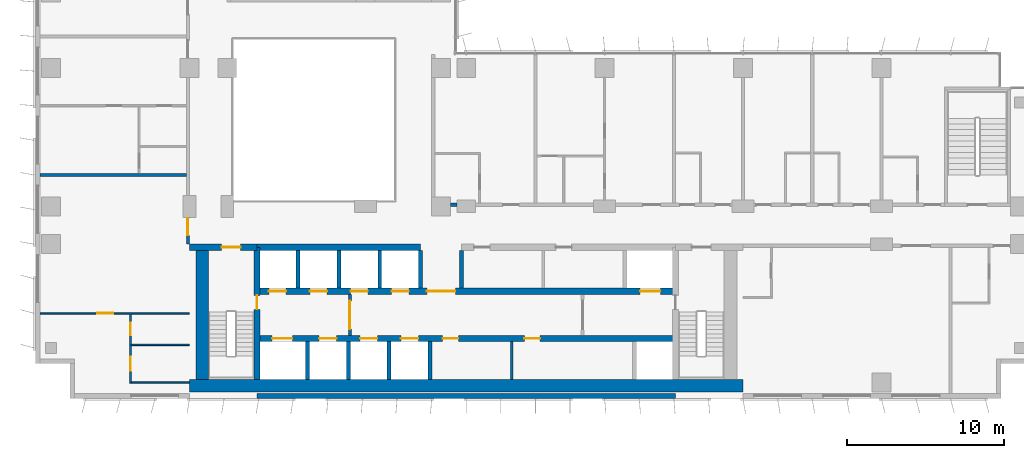
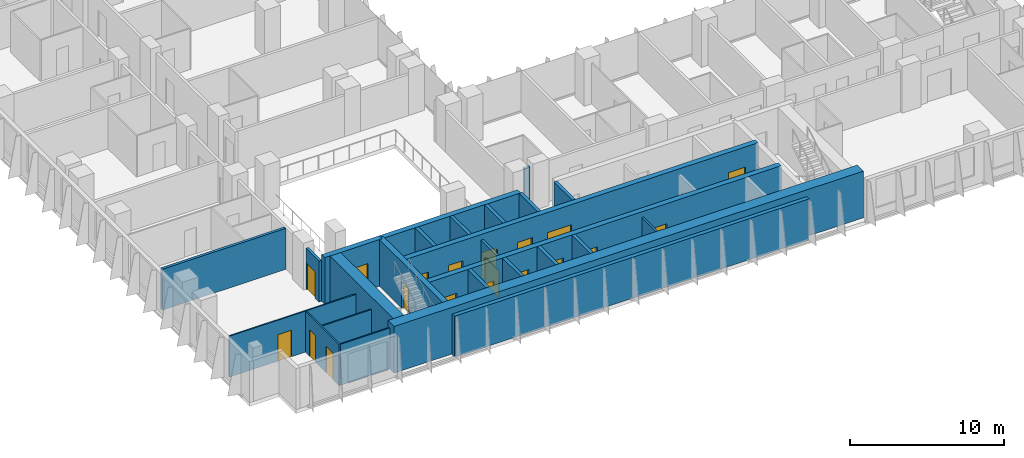
# One storey, part 12 of 22: 26 walls, 19 doors, 19 openings.
"""IFC4 building model written with IfcOpenShell, lengths in metres."""

from ifc_helpers import new_model, si_unit, direction, frame, frame_2d, origin, place, context, subcontext, project, spatial, rectangle, extrude, material, layer, layer_set, type_object, element, fill, save


model = new_model("IFC4")

# Units and contexts
model_context = context("Model", 3, precision=1e-05, world=origin(), true_north=direction((0.0, 1.0)))
body_context = subcontext(model_context, "Body", "Model", "MODEL_VIEW")
ifc_project = project(units=[si_unit("LENGTHUNIT", "METRE"), si_unit("AREAUNIT", "SQUARE_METRE"), si_unit("VOLUMEUNIT", "CUBIC_METRE"), si_unit("PLANEANGLEUNIT", "RADIAN"), si_unit("MASSUNIT", "GRAM", prefix="KILO")], contexts=[model_context])

# Site, building, storey
site_placement = place(None, origin())
site = spatial("IfcSite", under=ifc_project, at=site_placement, CompositionType="ELEMENT")
building_placement = place(site_placement, origin())
building = spatial("IfcBuilding", under=site, at=building_placement, Name="Kemantara Hotel Tower", CompositionType="ELEMENT")
storey_placement = place(building_placement, frame((0.0, 0.0, 149.39990234375)))
storey = spatial("IfcBuildingStorey", under=building, at=storey_placement, Name="L36", CompositionType="ELEMENT", Elevation=149.39990234375)

# Walls
ifc_material_1 = material(Name="Bronze anodised aluminium cladding on insulated steel stud wall", Category="steel")
ifc_layer_1 = layer(ifc_material_1, 0.300048828125)
ifc_layer_set_1 = layer_set([ifc_layer_1], Name="Bronze anodised aluminium cladding on insulated steel stud wall")
wall_type_1 = type_object("IfcWallType", Name="BRONZE METAL-CLAD EXTERNAL WALL 300", PredefinedType="STANDARD", material=ifc_layer_set_1)
wall_1_placement = place(storey_placement, frame((14.10009765625, 0.14990234375, 0.0), z_axis=(0.0, 0.0, 1.0), x_axis=(1.0, 0.0, 0.0)))
element("IfcWall", 1, at=wall_1_placement, inside=storey, type_object=wall_type_1, Name="EXTERNAL WALL L36 T2-R07-2", PredefinedType="STANDARD", context=body_context, shape_type="SweptSolid", body=[
    extrude(rectangle(XDim=26.599853515625, YDim=0.300048828125, at=frame_2d((13.2998046875, 0.0))), origin(), (0.0, 0.0, 1.0), 3.25),
])
ifc_material_2 = material(Name="Concrete fc 60 MPa", Category="concrete")
ifc_layer_2 = layer(ifc_material_2, 0.25)
ifc_layer_set_2 = layer_set([ifc_layer_2], Name="Concrete fc 60 MPa")
wall_type_2 = type_object("IfcWallType", Name="CORE WALL 250 FC60", PredefinedType="SHEAR", material=ifc_layer_set_2)
for number, where, z_axis, x_axis, name in (
    (2, (17.300048828125, 1.199951171875, 0.0), (0.0, 0.0, 1.0), (0.0, 1.0, 0.0), "CORE WALL CW-DS17.3"),
    (3, (19.89990234375, 1.199951171875, 0.0), (0.0, 0.0, 1.0), (0.0, 1.0, 0.0), "CORE WALL CW-DS19.9"),
    (4, (22.5, 1.199951171875, 0.0), (0.0, 0.0, 1.0), (0.0, 1.0, 0.0), "CORE WALL CW-DS22.5"),
    (5, (25.10009765625, 1.199951171875, 0.0), (0.0, 0.0, 1.0), (0.0, 1.0, 0.0), "CORE WALL CW-DS25.1"),
):
    element("IfcWall", number, at=place(storey_placement, frame(where, z_axis=z_axis, x_axis=x_axis)), inside=storey, type_object=wall_type_2, Name=name, PredefinedType="SHEAR", context=body_context, shape_type="SweptSolid", body=[
        extrude(rectangle(XDim=2.400146484375, YDim=0.25, at=frame_2d((1.2001953125, 0.0))), origin(), (0.0, 0.0, 1.0), 3.7001953125),
    ])
for number, where, z_axis, x_axis, name in (
    (6, (16.699951171875, 7.0, 0.0), (0.0, 0.0, 1.0), (0.0, 1.0, 0.0), "CORE WALL CW-DN16.7"),
    (7, (19.300048828125, 7.0, 0.0), (0.0, 0.0, 1.0), (0.0, 1.0, 0.0), "CORE WALL CW-DN19.3"),
    (8, (21.89990234375, 7.0, 0.0), (0.0, 0.0, 1.0), (0.0, 1.0, 0.0), "CORE WALL CW-DN21.9"),
    (9, (24.5, 7.0, 0.0), (0.0, 0.0, 1.0), (0.0, 1.0, 0.0), "CORE WALL CW-DN24.5"),
    (10, (27.10009765625, 7.0, 0.0), (0.0, 0.0, 1.0), (0.0, 1.0, 0.0), "CORE WALL CW-DN27.1"),
):
    element("IfcWall", number, at=place(storey_placement, frame(where, z_axis=z_axis, x_axis=x_axis)), inside=storey, type_object=wall_type_2, Name=name, PredefinedType="SHEAR", context=body_context, shape_type="SweptSolid", body=[
        extrude(rectangle(XDim=2.39990234375, YDim=0.25, at=frame_2d((1.199951171875, 0.0))), origin(), (0.0, 0.0, 1.0), 3.7001953125),
    ])

# Wall, opening, door
ifc_layer_3 = layer(ifc_material_2, 0.39990234375)
ifc_layer_set_3 = layer_set([ifc_layer_3], Name="Concrete fc 60 MPa")
wall_type_3 = type_object("IfcWallType", Name="CORE WALL 400 FC60", PredefinedType="SHEAR", material=ifc_layer_set_3)
wall_2_placement = place(storey_placement, frame((9.800048828125, 9.60009765625, 0.0), z_axis=(0.0, 0.0, 1.0), x_axis=(1.0, 0.0, 0.0)))
wall_2 = element("IfcWall", 11, at=wall_2_placement, inside=storey, type_object=wall_type_3, Name="CORE WALL CW-N1", PredefinedType="SHEAR", context=body_context, shape_type="SweptSolid", body=[
    extrude(rectangle(XDim=4.300048828125, YDim=0.39990234375, at=frame_2d((2.14990234375, 0.0))), origin(), (0.0, 0.0, 1.0), 3.7001953125),
])
opening_1_placement = place(wall_2_placement, frame((2.050048828125, 0.0, 0.0)))
opening_1 = element("IfcOpeningElement", 12, at=opening_1_placement, cuts=wall_2, Name="Opening C23-ST1-C", PredefinedType="OPENING", context=body_context, shape_type="SweptSolid", body=[
    extrude(rectangle(XDim=1.199951171875, YDim=2.10009765625, at=frame_2d((0.60009765625, 1.050048828125))), frame((0.0, 0.2099609375, 0.0), z_axis=(0.0, -1.0, 0.0), x_axis=(1.0, 0.0, 0.0)), (0.0, 0.0, 1.0), 0.419921875),
])
ifc_material_3 = material(Name="Steel fire door", Category="steel")
door_type_1 = type_object("IfcDoorType", Name="Fire door FD90 1200 x 2100", OperationType="NOTDEFINED", PredefinedType="DOOR", material=ifc_material_3)
door_1_placement = place(opening_1_placement, frame((1.199951171875, 0.0, 0.0), z_axis=(0.0, 0.0, 1.0), x_axis=(-1.0, 0.0, 0.0)))
door_1 = element("IfcDoor", 13, at=door_1_placement, inside=storey, type_object=door_type_1, Name="Stair ST1 door to corridor", OperationType="SINGLE_SWING_LEFT", OverallHeight=2.10009765625, OverallWidth=1.199951171875, PredefinedType="DOOR", context=body_context, shape_type="SweptSolid", body=[
    extrude(rectangle(XDim=1.199951171875, YDim=2.10009765625, at=frame_2d((0.60009765625, 1.050048828125))), frame((0.0, 0.02490234375, 0.0), z_axis=(0.0, -1.0, 0.0), x_axis=(1.0, 0.0, 0.0)), (0.0, 0.0, 1.0), 0.050048828125),
])
fill(opening_1, door_1)

# Wall
wall_3_placement = place(storey_placement, frame((14.10009765625, 9.60009765625, 0.0), z_axis=(0.0, 0.0, 1.0), x_axis=(1.0, 0.0, 0.0)))
element("IfcWall", 14, at=wall_3_placement, inside=storey, type_object=wall_type_3, Name="CORE WALL CW-NN1", PredefinedType="SHEAR", context=body_context, shape_type="SweptSolid", body=[
    extrude(rectangle(XDim=10.39990234375, YDim=0.39990234375, at=frame_2d((5.199951171875, 0.0))), origin(), (0.0, 0.0, 1.0), 3.7001953125),
])

# Wall, openings, doors
wall_4_placement = place(storey_placement, frame((14.10009765625, 3.800048828125, 0.0), z_axis=(0.0, 0.0, 1.0), x_axis=(1.0, 0.0, 0.0)))
wall_4 = element("IfcWall", 15, at=wall_4_placement, inside=storey, type_object=wall_type_3, Name="CORE WALL CW-L1", PredefinedType="SHEAR", context=body_context, shape_type="SweptSolid", body=[
    extrude(rectangle(XDim=26.599853515625, YDim=0.39990234375, at=frame_2d((13.2998046875, 0.0))), origin(), (0.0, 0.0, 1.0), 3.7001953125),
])
opening_2_placement = place(wall_4_placement, frame((0.949951171875, 0.0, 0.0)))
opening_2 = element("IfcOpeningElement", 16, at=opening_2_placement, cuts=wall_4, Name="Opening C23-LD-FF1", PredefinedType="OPENING", context=body_context, shape_type="SweptSolid", body=[
    extrude(rectangle(XDim=1.300048828125, YDim=2.10009765625, at=frame_2d((0.64990234375, 1.050048828125))), frame((0.0, 0.2099609375, 0.0), z_axis=(0.0, -1.0, 0.0), x_axis=(1.0, 0.0, 0.0)), (0.0, 0.0, 1.0), 0.419921875),
])
opening_3_placement = place(wall_4_placement, frame((3.949951171875, 0.0, 0.0)))
opening_3 = element("IfcOpeningElement", 17, at=opening_3_placement, cuts=wall_4, Name="Opening C23-LD-SV1", PredefinedType="OPENING", context=body_context, shape_type="SweptSolid", body=[
    extrude(rectangle(XDim=1.10009765625, YDim=2.10009765625, at=frame_2d((0.550048828125, 1.050048828125))), frame((0.0, 0.2099609375, 0.0), z_axis=(0.0, -1.0, 0.0), x_axis=(1.0, 0.0, 0.0)), (0.0, 0.0, 1.0), 0.419921875),
])
opening_4_placement = place(wall_4_placement, frame((6.550048828125, 0.0, 0.0)))
opening_4 = element("IfcOpeningElement", 18, at=opening_4_placement, cuts=wall_4, Name="Opening C23-LD-SV2", PredefinedType="OPENING", context=body_context, shape_type="SweptSolid", body=[
    extrude(rectangle(XDim=1.10009765625, YDim=2.10009765625, at=frame_2d((0.550048828125, 1.050048828125))), frame((0.0, 0.2099609375, 0.0), z_axis=(0.0, -1.0, 0.0), x_axis=(1.0, 0.0, 0.0)), (0.0, 0.0, 1.0), 0.419921875),
])
opening_5_placement = place(wall_4_placement, frame((9.14990234375, 0.0, 0.0)))
opening_5 = element("IfcOpeningElement", 19, at=opening_5_placement, cuts=wall_4, Name="Opening C23-LD-SV3", PredefinedType="OPENING", context=body_context, shape_type="SweptSolid", body=[
    extrude(rectangle(XDim=1.10009765625, YDim=2.10009765625, at=frame_2d((0.550048828125, 1.050048828125))), frame((0.0, 0.2099609375, 0.0), z_axis=(0.0, -1.0, 0.0), x_axis=(1.0, 0.0, 0.0)), (0.0, 0.0, 1.0), 0.419921875),
])
opening_6_placement = place(wall_4_placement, frame((11.800048828125, 0.0, 0.0)))
opening_6 = element("IfcOpeningElement", 20, at=opening_6_placement, cuts=wall_4, Name="Opening C23-R-SM1", PredefinedType="OPENING", context=body_context, shape_type="SweptSolid", body=[
    extrude(rectangle(XDim=1.0, YDim=2.10009765625, at=frame_2d((0.5, 1.050048828125))), frame((0.0, 0.2099609375, 0.0), z_axis=(0.0, -1.0, 0.0), x_axis=(1.0, 0.0, 0.0)), (0.0, 0.0, 1.0), 0.419921875),
])
opening_7_placement = place(wall_4_placement, frame((17.0, 0.0, 0.0)))
opening_7 = element("IfcOpeningElement", 21, at=opening_7_placement, cuts=wall_4, Name="Opening C23-R-SM2", PredefinedType="OPENING", context=body_context, shape_type="SweptSolid", body=[
    extrude(rectangle(XDim=1.0, YDim=2.10009765625, at=frame_2d((0.5, 1.050048828125))), frame((0.0, 0.2099609375, 0.0), z_axis=(0.0, -1.0, 0.0), x_axis=(1.0, 0.0, 0.0)), (0.0, 0.0, 1.0), 0.419921875),
])
door_type_2 = type_object("IfcDoorType", Name="Fire door FD30S 1000 x 2100", OperationType="NOTDEFINED", PredefinedType="DOOR", material=ifc_material_3)
door_2_placement = place(opening_6_placement, frame((1.0, 0.0, 0.0), z_axis=(0.0, 0.0, 1.0), x_axis=(-1.0, 0.0, 0.0)))
door_2 = element("IfcDoor", 22, at=door_2_placement, inside=storey, type_object=door_type_2, Name="Guest Pantry door", OperationType="SINGLE_SWING_RIGHT", OverallHeight=2.10009765625, OverallWidth=1.0, PredefinedType="DOOR", context=body_context, shape_type="SweptSolid", body=[
    extrude(rectangle(XDim=1.0, YDim=2.10009765625, at=frame_2d((0.5, 1.050048828125))), frame((0.0, 0.02490234375, 0.0), z_axis=(0.0, -1.0, 0.0), x_axis=(1.0, 0.0, 0.0)), (0.0, 0.0, 1.0), 0.050048828125),
])
fill(opening_6, door_2)
door_3_placement = place(opening_7_placement, frame((1.0, 0.0, 0.0), z_axis=(0.0, 0.0, 1.0), x_axis=(-1.0, 0.0, 0.0)))
door_3 = element("IfcDoor", 23, at=door_3_placement, inside=storey, type_object=door_type_2, Name="Luggage Store door", OperationType="SINGLE_SWING_LEFT", OverallHeight=2.10009765625, OverallWidth=1.0, PredefinedType="DOOR", context=body_context, shape_type="SweptSolid", body=[
    extrude(rectangle(XDim=1.0, YDim=2.10009765625, at=frame_2d((0.5, 1.050048828125))), frame((0.0, 0.02490234375, 0.0), z_axis=(0.0, -1.0, 0.0), x_axis=(1.0, 0.0, 0.0)), (0.0, 0.0, 1.0), 0.050048828125),
])
fill(opening_7, door_3)
ifc_material_4 = material(Name="Stainless steel lift door", Category="steel")
door_type_3 = type_object("IfcDoorType", Name="Lift landing door 1100 x 2100 FD60", OperationType="DOUBLE_DOOR_SLIDING", PredefinedType="DOOR", material=ifc_material_4)
door_4_placement = place(opening_3_placement, origin())
door_4 = element("IfcDoor", 24, at=door_4_placement, inside=storey, type_object=door_type_3, Name="Lift SV1 landing door", OperationType="DOUBLE_DOOR_SLIDING", OverallHeight=2.10009765625, OverallWidth=1.10009765625, PredefinedType="DOOR", context=body_context, shape_type="SweptSolid", body=[
    extrude(rectangle(XDim=1.10009765625, YDim=2.10009765625, at=frame_2d((0.550048828125, 1.050048828125))), frame((0.0, 0.02490234375, 0.0), z_axis=(0.0, -1.0, 0.0), x_axis=(1.0, 0.0, 0.0)), (0.0, 0.0, 1.0), 0.050048828125),
])
fill(opening_3, door_4)
door_5_placement = place(opening_4_placement, origin())
door_5 = element("IfcDoor", 25, at=door_5_placement, inside=storey, type_object=door_type_3, Name="Lift SV2 landing door", OperationType="DOUBLE_DOOR_SLIDING", OverallHeight=2.10009765625, OverallWidth=1.10009765625, PredefinedType="DOOR", context=body_context, shape_type="SweptSolid", body=[
    extrude(rectangle(XDim=1.10009765625, YDim=2.10009765625, at=frame_2d((0.550048828125, 1.050048828125))), frame((0.0, 0.02490234375, 0.0), z_axis=(0.0, -1.0, 0.0), x_axis=(1.0, 0.0, 0.0)), (0.0, 0.0, 1.0), 0.050048828125),
])
fill(opening_4, door_5)
door_6_placement = place(opening_5_placement, origin())
door_6 = element("IfcDoor", 26, at=door_6_placement, inside=storey, type_object=door_type_3, Name="Lift SV3 landing door", OperationType="DOUBLE_DOOR_SLIDING", OverallHeight=2.10009765625, OverallWidth=1.10009765625, PredefinedType="DOOR", context=body_context, shape_type="SweptSolid", body=[
    extrude(rectangle(XDim=1.10009765625, YDim=2.10009765625, at=frame_2d((0.550048828125, 1.050048828125))), frame((0.0, 0.02490234375, 0.0), z_axis=(0.0, -1.0, 0.0), x_axis=(1.0, 0.0, 0.0)), (0.0, 0.0, 1.0), 0.050048828125),
])
fill(opening_5, door_6)
door_type_4 = type_object("IfcDoorType", Name="Lift landing door 1300 x 2100 FD90", OperationType="DOUBLE_DOOR_SLIDING", PredefinedType="DOOR", material=ifc_material_4)
door_7_placement = place(opening_2_placement, origin())
door_7 = element("IfcDoor", 27, at=door_7_placement, inside=storey, type_object=door_type_4, Name="Lift FF1 landing door", OperationType="DOUBLE_DOOR_SLIDING", OverallHeight=2.10009765625, OverallWidth=1.300048828125, PredefinedType="DOOR", context=body_context, shape_type="SweptSolid", body=[
    extrude(rectangle(XDim=1.300048828125, YDim=2.10009765625, at=frame_2d((0.64990234375, 1.050048828125))), frame((0.0, 0.02490234375, 0.0), z_axis=(0.0, -1.0, 0.0), x_axis=(1.0, 0.0, 0.0)), (0.0, 0.0, 1.0), 0.050048828125),
])
fill(opening_2, door_7)

wall_5_placement = place(storey_placement, frame((14.10009765625, 6.800048828125, 0.0), z_axis=(0.0, 0.0, 1.0), x_axis=(1.0, 0.0, 0.0)))
wall_5 = element("IfcWall", 28, at=wall_5_placement, inside=storey, type_object=wall_type_3, Name="CORE WALL CW-L2", PredefinedType="SHEAR", context=body_context, shape_type="SweptSolid", body=[
    extrude(rectangle(XDim=26.599853515625, YDim=0.39990234375, at=frame_2d((13.2998046875, 0.0))), origin(), (0.0, 0.0, 1.0), 3.7001953125),
])
opening_8_placement = place(wall_5_placement, frame((10.800048828125, 0.0, 0.0)))
opening_8 = element("IfcOpeningElement", 29, at=opening_8_placement, cuts=wall_5, Name="Opening C23-VL", PredefinedType="OPENING", context=body_context, shape_type="SweptSolid", body=[
    extrude(rectangle(XDim=1.800048828125, YDim=2.10009765625, at=frame_2d((0.89990234375, 1.050048828125))), frame((0.0, 0.2099609375, 0.0), z_axis=(0.0, -1.0, 0.0), x_axis=(1.0, 0.0, 0.0)), (0.0, 0.0, 1.0), 0.419921875),
])
opening_9_placement = place(wall_5_placement, frame((0.75, 0.0, 0.0)))
opening_9 = element("IfcOpeningElement", 30, at=opening_9_placement, cuts=wall_5, Name="Opening C23-LD-MR1", PredefinedType="OPENING", context=body_context, shape_type="SweptSolid", body=[
    extrude(rectangle(XDim=1.10009765625, YDim=2.10009765625, at=frame_2d((0.550048828125, 1.050048828125))), frame((0.0, 0.2099609375, 0.0), z_axis=(0.0, -1.0, 0.0), x_axis=(1.0, 0.0, 0.0)), (0.0, 0.0, 1.0), 0.419921875),
])
opening_10_placement = place(wall_5_placement, frame((3.35009765625, 0.0, 0.0)))
opening_10 = element("IfcOpeningElement", 31, at=opening_10_placement, cuts=wall_5, Name="Opening C23-LD-MR2", PredefinedType="OPENING", context=body_context, shape_type="SweptSolid", body=[
    extrude(rectangle(XDim=1.10009765625, YDim=2.10009765625, at=frame_2d((0.550048828125, 1.050048828125))), frame((0.0, 0.2099609375, 0.0), z_axis=(0.0, -1.0, 0.0), x_axis=(1.0, 0.0, 0.0)), (0.0, 0.0, 1.0), 0.419921875),
])
opening_11_placement = place(wall_5_placement, frame((5.949951171875, 0.0, 0.0)))
opening_11 = element("IfcOpeningElement", 32, at=opening_11_placement, cuts=wall_5, Name="Opening C23-LD-MR3", PredefinedType="OPENING", context=body_context, shape_type="SweptSolid", body=[
    extrude(rectangle(XDim=1.10009765625, YDim=2.10009765625, at=frame_2d((0.550048828125, 1.050048828125))), frame((0.0, 0.2099609375, 0.0), z_axis=(0.0, -1.0, 0.0), x_axis=(1.0, 0.0, 0.0)), (0.0, 0.0, 1.0), 0.419921875),
])
opening_12_placement = place(wall_5_placement, frame((8.550048828125, 0.0, 0.0)))
opening_12 = element("IfcOpeningElement", 33, at=opening_12_placement, cuts=wall_5, Name="Opening C23-LD-MR4", PredefinedType="OPENING", context=body_context, shape_type="SweptSolid", body=[
    extrude(rectangle(XDim=1.10009765625, YDim=2.10009765625, at=frame_2d((0.550048828125, 1.050048828125))), frame((0.0, 0.2099609375, 0.0), z_axis=(0.0, -1.0, 0.0), x_axis=(1.0, 0.0, 0.0)), (0.0, 0.0, 1.0), 0.419921875),
])
opening_13_placement = place(wall_5_placement, frame((24.35009765625, 0.0, 0.0)))
opening_13 = element("IfcOpeningElement", 34, at=opening_13_placement, cuts=wall_5, Name="Opening C23-LD-FF2", PredefinedType="OPENING", context=body_context, shape_type="SweptSolid", body=[
    extrude(rectangle(XDim=1.300048828125, YDim=2.10009765625, at=frame_2d((0.64990234375, 1.050048828125))), frame((0.0, 0.2099609375, 0.0), z_axis=(0.0, -1.0, 0.0), x_axis=(1.0, 0.0, 0.0)), (0.0, 0.0, 1.0), 0.419921875),
])
door_type_5 = type_object("IfcDoorType", Name="Fire door pair FD60 1800 x 2100", OperationType="DOUBLE_DOOR_SINGLE_SWING", PredefinedType="DOOR", material=ifc_material_3)
door_8_placement = place(opening_8_placement, frame((1.800048828125, 0.0, 0.0), z_axis=(0.0, 0.0, 1.0), x_axis=(-1.0, 0.0, 0.0)))
door_8 = element("IfcDoor", 35, at=door_8_placement, inside=storey, type_object=door_type_5, Name="Lift lobby entry door", OperationType="DOUBLE_DOOR_SINGLE_SWING", OverallHeight=2.10009765625, OverallWidth=1.800048828125, PredefinedType="DOOR", context=body_context, shape_type="SweptSolid", body=[
    extrude(rectangle(XDim=1.800048828125, YDim=2.10009765625, at=frame_2d((0.89990234375, 1.050048828125))), frame((0.0, 0.02490234375, 0.0), z_axis=(0.0, -1.0, 0.0), x_axis=(1.0, 0.0, 0.0)), (0.0, 0.0, 1.0), 0.050048828125),
])
fill(opening_8, door_8)
door_9_placement = place(opening_9_placement, origin())
door_9 = element("IfcDoor", 36, at=door_9_placement, inside=storey, type_object=door_type_3, Name="Lift MR1 landing door", OperationType="DOUBLE_DOOR_SLIDING", OverallHeight=2.10009765625, OverallWidth=1.10009765625, PredefinedType="DOOR", context=body_context, shape_type="SweptSolid", body=[
    extrude(rectangle(XDim=1.10009765625, YDim=2.10009765625, at=frame_2d((0.550048828125, 1.050048828125))), frame((0.0, 0.02490234375, 0.0), z_axis=(0.0, -1.0, 0.0), x_axis=(1.0, 0.0, 0.0)), (0.0, 0.0, 1.0), 0.050048828125),
])
fill(opening_9, door_9)
door_10_placement = place(opening_10_placement, origin())
door_10 = element("IfcDoor", 37, at=door_10_placement, inside=storey, type_object=door_type_3, Name="Lift MR2 landing door", OperationType="DOUBLE_DOOR_SLIDING", OverallHeight=2.10009765625, OverallWidth=1.10009765625, PredefinedType="DOOR", context=body_context, shape_type="SweptSolid", body=[
    extrude(rectangle(XDim=1.10009765625, YDim=2.10009765625, at=frame_2d((0.550048828125, 1.050048828125))), frame((0.0, 0.02490234375, 0.0), z_axis=(0.0, -1.0, 0.0), x_axis=(1.0, 0.0, 0.0)), (0.0, 0.0, 1.0), 0.050048828125),
])
fill(opening_10, door_10)
door_11_placement = place(opening_11_placement, origin())
door_11 = element("IfcDoor", 38, at=door_11_placement, inside=storey, type_object=door_type_3, Name="Lift MR3 landing door", OperationType="DOUBLE_DOOR_SLIDING", OverallHeight=2.10009765625, OverallWidth=1.10009765625, PredefinedType="DOOR", context=body_context, shape_type="SweptSolid", body=[
    extrude(rectangle(XDim=1.10009765625, YDim=2.10009765625, at=frame_2d((0.550048828125, 1.050048828125))), frame((0.0, 0.02490234375, 0.0), z_axis=(0.0, -1.0, 0.0), x_axis=(1.0, 0.0, 0.0)), (0.0, 0.0, 1.0), 0.050048828125),
])
fill(opening_11, door_11)
door_12_placement = place(opening_12_placement, origin())
door_12 = element("IfcDoor", 39, at=door_12_placement, inside=storey, type_object=door_type_3, Name="Lift MR4 landing door", OperationType="DOUBLE_DOOR_SLIDING", OverallHeight=2.10009765625, OverallWidth=1.10009765625, PredefinedType="DOOR", context=body_context, shape_type="SweptSolid", body=[
    extrude(rectangle(XDim=1.10009765625, YDim=2.10009765625, at=frame_2d((0.550048828125, 1.050048828125))), frame((0.0, 0.02490234375, 0.0), z_axis=(0.0, -1.0, 0.0), x_axis=(1.0, 0.0, 0.0)), (0.0, 0.0, 1.0), 0.050048828125),
])
fill(opening_12, door_12)
door_13_placement = place(opening_13_placement, origin())
door_13 = element("IfcDoor", 40, at=door_13_placement, inside=storey, type_object=door_type_4, Name="Lift FF2 landing door", OperationType="DOUBLE_DOOR_SLIDING", OverallHeight=2.10009765625, OverallWidth=1.300048828125, PredefinedType="DOOR", context=body_context, shape_type="SweptSolid", body=[
    extrude(rectangle(XDim=1.300048828125, YDim=2.10009765625, at=frame_2d((0.64990234375, 1.050048828125))), frame((0.0, 0.02490234375, 0.0), z_axis=(0.0, -1.0, 0.0), x_axis=(1.0, 0.0, 0.0)), (0.0, 0.0, 1.0), 0.050048828125),
])
fill(opening_13, door_13)

# Wall, opening, door
wall_6_placement = place(storey_placement, frame((14.10009765625, 1.199951171875, 0.0), z_axis=(0.0, 0.0, 1.0), x_axis=(0.0, 1.0, 0.0)))
wall_6 = element("IfcWall", 41, at=wall_6_placement, inside=storey, type_object=wall_type_3, Name="CORE WALL CW-ST1E", PredefinedType="SHEAR", context=body_context, shape_type="SweptSolid", body=[
    extrude(rectangle(XDim=8.400146484375, YDim=0.39990234375, at=frame_2d((4.2001953125, 0.0))), origin(), (0.0, 0.0, 1.0), 3.7001953125),
])
opening_14_placement = place(wall_6_placement, frame((4.449951171875, 0.0, 0.0)))
opening_14 = element("IfcOpeningElement", 42, at=opening_14_placement, cuts=wall_6, Name="Opening C23-ST1-F", PredefinedType="OPENING", context=body_context, shape_type="SweptSolid", body=[
    extrude(rectangle(XDim=0.89990234375, YDim=2.10009765625, at=frame_2d((0.449951171875, 1.050048828125))), frame((0.0, 0.2099609375, 0.0), z_axis=(0.0, -1.0, 0.0), x_axis=(1.0, 0.0, 0.0)), (0.0, 0.0, 1.0), 0.419921875),
])
door_type_6 = type_object("IfcDoorType", Name="Fire door FD90 900 x 2100", OperationType="NOTDEFINED", PredefinedType="DOOR", material=ifc_material_3)
door_14_placement = place(opening_14_placement, origin())
door_14 = element("IfcDoor", 43, at=door_14_placement, inside=storey, type_object=door_type_6, Name="Stair ST1 door to firefighting lobby", OperationType="SINGLE_SWING_RIGHT", OverallHeight=2.10009765625, OverallWidth=0.89990234375, PredefinedType="DOOR", context=body_context, shape_type="SweptSolid", body=[
    extrude(rectangle(XDim=0.89990234375, YDim=2.10009765625, at=frame_2d((0.449951171875, 1.050048828125))), frame((0.0, 0.02490234375, 0.0), z_axis=(0.0, -1.0, 0.0), x_axis=(1.0, 0.0, 0.0)), (0.0, 0.0, 1.0), 0.050048828125),
])
fill(opening_14, door_14)

# Walls
ifc_layer_4 = layer(ifc_material_2, 0.800048828125)
ifc_layer_set_4 = layer_set([ifc_layer_4], Name="Concrete fc 60 MPa")
wall_type_4 = type_object("IfcWallType", Name="CORE WALL 800 FC60", PredefinedType="SHEAR", material=ifc_layer_set_4)
wall_7_placement = place(storey_placement, frame((9.800048828125, 0.800048828125, 0.0), z_axis=(0.0, 0.0, 1.0), x_axis=(1.0, 0.0, 0.0)))
element("IfcWall", 44, at=wall_7_placement, inside=storey, type_object=wall_type_4, Name="CORE WALL CW-S", PredefinedType="SHEAR", context=body_context, shape_type="SweptSolid", body=[
    extrude(rectangle(XDim=35.199951171875, YDim=0.800048828125, at=frame_2d((17.60009765625, 0.0))), origin(), (0.0, 0.0, 1.0), 3.7001953125),
])
wall_8_placement = place(storey_placement, frame((10.60009765625, 1.199951171875, 0.0), z_axis=(0.0, 0.0, 1.0), x_axis=(0.0, 1.0, 0.0)))
element("IfcWall", 45, at=wall_8_placement, inside=storey, type_object=wall_type_4, Name="CORE WALL CW-W", PredefinedType="SHEAR", context=body_context, shape_type="SweptSolid", body=[
    extrude(rectangle(XDim=8.60009765625, YDim=0.800048828125, at=frame_2d((4.300048828125, 0.0))), origin(), (0.0, 0.0, 1.0), 3.7001953125),
])
ifc_material_5 = material(Name="Gypsum board partition, steel studs and mineral wool, 200 mm", Category="steel")
ifc_layer_5 = layer(ifc_material_5, 0.199951171875)
ifc_layer_set_5 = layer_set([ifc_layer_5], Name="Gypsum board partition, steel studs and mineral wool, 200 mm")
wall_type_5 = type_object("IfcWallType", Name="CORRIDOR WALL 200", PredefinedType="PARTITIONING", material=ifc_layer_set_5)
wall_9_placement = place(storey_placement, frame((26.400146484375, 12.300048828125, 0.0), z_axis=(0.0, 0.0, 1.0), x_axis=(1.0, 0.0, 0.0)))
element("IfcWall", 46, at=wall_9_placement, inside=storey, type_object=wall_type_5, Name="CORRIDOR WALL 200 004", PredefinedType="PARTITIONING", context=body_context, shape_type="SweptSolid", body=[
    extrude(rectangle(XDim=0.399658203125, YDim=0.199951171875, at=frame_2d((0.19970703125, 0.0))), origin(), (0.0, 0.0, 1.0), 3.25),
])

# Wall, opening, door
wall_10_placement = place(storey_placement, frame((9.699951171875, 9.800048828125, 0.0), z_axis=(0.0, 0.0, 1.0), x_axis=(0.0, 1.0, 0.0)))
wall_10 = element("IfcWall", 47, at=wall_10_placement, inside=storey, type_object=wall_type_5, Name="CORRIDOR WALL 200 016", PredefinedType="PARTITIONING", context=body_context, shape_type="SweptSolid", body=[
    extrude(rectangle(XDim=1.699951171875, YDim=0.199951171875, at=frame_2d((0.85009765625, 0.0))), origin(), (0.0, 0.0, 1.0), 3.25),
])
opening_15_placement = place(wall_10_placement, frame((0.550048828125, 0.0, 0.0)))
opening_15 = element("IfcOpeningElement", 48, at=opening_15_placement, cuts=wall_10, Name="Opening F16-019", PredefinedType="OPENING", context=body_context, shape_type="SweptSolid", body=[
    extrude(rectangle(XDim=1.10009765625, YDim=2.10009765625, at=frame_2d((0.550048828125, 1.050048828125))), frame((0.0, 0.10986328125, 0.0), z_axis=(0.0, -1.0, 0.0), x_axis=(1.0, 0.0, 0.0)), (0.0, 0.0, 1.0), 0.219970703125),
])
ifc_material_6 = material(Name="Hardwood veneer door leaf with steel frame", Category="steel")
door_type_7 = type_object("IfcDoorType", Name="SUITE ENTRANCE DOOR 1100 X 2100 FD30S", OperationType="NOTDEFINED", PredefinedType="DOOR", material=ifc_material_6)
door_15_placement = place(opening_15_placement, origin())
door_15 = element("IfcDoor", 49, at=door_15_placement, inside=storey, type_object=door_type_7, Name="SUITE ENTRANCE DOOR F16-019", OperationType="SINGLE_SWING_RIGHT", OverallHeight=2.10009765625, OverallWidth=1.10009765625, PredefinedType="DOOR", context=body_context, shape_type="SweptSolid", body=[
    extrude(rectangle(XDim=1.10009765625, YDim=2.10009765625, at=frame_2d((0.550048828125, 1.050048828125))), frame((0.0, 0.02490234375, 0.0), z_axis=(0.0, -1.0, 0.0), x_axis=(1.0, 0.0, 0.0)), (0.0, 0.0, 1.0), 0.050048828125),
])
fill(opening_15, door_15)

# Walls
ifc_layer_6 = layer(ifc_material_5, 0.199951171875)
ifc_layer_set_6 = layer_set([ifc_layer_6], Name="Gypsum board partition, steel studs and mineral wool, 200 mm")
wall_type_6 = type_object("IfcWallType", Name="GUEST ROOM PARTY WALL 200", PredefinedType="PARTITIONING", material=ifc_layer_set_6)
wall_11_placement = place(storey_placement, frame((0.31005859375, 14.199951171875, 0.0), z_axis=(0.0, 0.0, 1.0), x_axis=(1.0, 0.0, 0.0)))
element("IfcWall", 50, at=wall_11_placement, inside=storey, type_object=wall_type_6, Name="GUEST ROOM PARTY WALL 200 025", PredefinedType="PARTITIONING", context=body_context, shape_type="SweptSolid", body=[
    extrude(rectangle(XDim=9.2900390625, YDim=0.199951171875, at=frame_2d((4.64501953125, 0.0))), origin(), (0.0, 0.0, 1.0), 3.25),
])
ifc_material_7 = material(Name="Gypsum board partition")
ifc_layer_7 = layer(ifc_material_7, 0.14990234375)
ifc_layer_set_7 = layer_set([ifc_layer_7], Name="Gypsum board partition")
wall_type_7 = type_object("IfcWallType", Name="Gypsum board partition 150 mm", PredefinedType="PARTITIONING", material=ifc_layer_set_7)
wall_12_placement = place(storey_placement, frame((30.300048828125, 1.199951171875, 0.0), z_axis=(0.0, 0.0, 1.0), x_axis=(0.0, 1.0, 0.0)))
element("IfcWall", 51, at=wall_12_placement, inside=storey, type_object=wall_type_7, Name="Core room partition", PredefinedType="PARTITIONING", context=body_context, shape_type="SweptSolid", body=[
    extrude(rectangle(XDim=2.400146484375, YDim=0.14990234375, at=frame_2d((1.2001953125, 0.0))), origin(), (0.0, 0.0, 1.0), 3.25),
])

# Wall, opening, door
ifc_material_8 = material(Name="Gypsum board shaft wall")
ifc_layer_8 = layer(ifc_material_8, 0.199951171875)
ifc_layer_set_8 = layer_set([ifc_layer_8], Name="Gypsum board shaft wall")
wall_type_8 = type_object("IfcWallType", Name="Gypsum board shaft wall 200 mm", PredefinedType="PARTITIONING", material=ifc_layer_set_8)
wall_13_placement = place(storey_placement, frame((20.0, 4.0, 0.0), z_axis=(0.0, 0.0, 1.0), x_axis=(0.0, 1.0, 0.0)))
wall_13 = element("IfcWall", 52, at=wall_13_placement, inside=storey, type_object=wall_type_8, Name="Firefighting lobby partition west", PredefinedType="PARTITIONING", context=body_context, shape_type="SweptSolid", body=[
    extrude(rectangle(XDim=2.60009765625, YDim=0.199951171875, at=frame_2d((1.300048828125, 0.0))), origin(), (0.0, 0.0, 1.0), 3.25),
])
opening_16_placement = place(wall_13_placement, frame((0.39990234375, 0.0, 0.0)))
opening_16 = element("IfcOpeningElement", 53, at=opening_16_placement, cuts=wall_13, Name="Opening C23-FFW", PredefinedType="OPENING", context=body_context, shape_type="SweptSolid", body=[
    extrude(rectangle(XDim=1.800048828125, YDim=2.10009765625, at=frame_2d((0.89990234375, 1.050048828125))), frame((0.0, 0.10986328125, 0.0), z_axis=(0.0, -1.0, 0.0), x_axis=(1.0, 0.0, 0.0)), (0.0, 0.0, 1.0), 0.219970703125),
])
door_16_placement = place(opening_16_placement, origin())
door_16 = element("IfcDoor", 54, at=door_16_placement, inside=storey, type_object=door_type_5, Name="Firefighting lobby door west", OperationType="DOUBLE_DOOR_SINGLE_SWING", OverallHeight=2.10009765625, OverallWidth=1.800048828125, PredefinedType="DOOR", context=body_context, shape_type="SweptSolid", body=[
    extrude(rectangle(XDim=1.800048828125, YDim=2.10009765625, at=frame_2d((0.89990234375, 1.050048828125))), frame((0.0, 0.02490234375, 0.0), z_axis=(0.0, -1.0, 0.0), x_axis=(1.0, 0.0, 0.0)), (0.0, 0.0, 1.0), 0.050048828125),
])
fill(opening_16, door_16)

# Wall, openings, doors
ifc_material_9 = material(Name="Gypsum board partition on steel studs, 100 mm", Category="steel")
ifc_layer_9 = layer(ifc_material_9, 0.10009765625)
ifc_layer_set_9 = layer_set([ifc_layer_9], Name="Gypsum board partition on steel studs, 100 mm")
wall_type_9 = type_object("IfcWallType", Name="ROOM PARTITION 100", PredefinedType="PARTITIONING", material=ifc_layer_set_9)
wall_14_placement = place(storey_placement, frame((6.050048828125, 5.35009765625, 0.0), z_axis=(0.0, 0.0, 1.0), x_axis=(0.0, -1.0, 0.0)))
wall_14 = element("IfcWall", 55, at=wall_14_placement, inside=storey, type_object=wall_type_9, Name="ROOM PARTITION 100 062", PredefinedType="PARTITIONING", context=body_context, shape_type="SweptSolid", body=[
    extrude(rectangle(XDim=4.400146484375, YDim=0.10009765625, at=frame_2d((2.2001953125, 0.0))), origin(), (0.0, 0.0, 1.0), 3.25),
])
opening_17_placement = place(wall_14_placement, frame((2.699951171875, 0.0, 0.0)))
opening_17 = element("IfcOpeningElement", 56, at=opening_17_placement, cuts=wall_14, Name="Opening F16-021", PredefinedType="OPENING", context=body_context, shape_type="SweptSolid", body=[
    extrude(rectangle(XDim=0.89990234375, YDim=2.10009765625, at=frame_2d((0.449951171875, 1.050048828125))), frame((0.0, 0.06005859375, 0.0), z_axis=(0.0, -1.0, 0.0), x_axis=(1.0, 0.0, 0.0)), (0.0, 0.0, 1.0), 0.1201171875),
])
opening_18_placement = place(wall_14_placement, frame((0.550048828125, 0.0, 0.0)))
opening_18 = element("IfcOpeningElement", 57, at=opening_18_placement, cuts=wall_14, Name="Opening F16-022", PredefinedType="OPENING", context=body_context, shape_type="SweptSolid", body=[
    extrude(rectangle(XDim=0.800048828125, YDim=2.10009765625, at=frame_2d((0.39990234375, 1.050048828125))), frame((0.0, 0.06005859375, 0.0), z_axis=(0.0, -1.0, 0.0), x_axis=(1.0, 0.0, 0.0)), (0.0, 0.0, 1.0), 0.1201171875),
])
door_type_8 = type_object("IfcDoorType", Name="BATHROOM DOOR 900 X 2100", OperationType="NOTDEFINED", PredefinedType="DOOR", material=ifc_material_6)
door_17_placement = place(opening_17_placement, origin())
door_17 = element("IfcDoor", 58, at=door_17_placement, inside=storey, type_object=door_type_8, Name="BATHROOM DOOR F16-021", OperationType="SINGLE_SWING_LEFT", OverallHeight=2.10009765625, OverallWidth=0.89990234375, PredefinedType="DOOR", context=body_context, shape_type="SweptSolid", body=[
    extrude(rectangle(XDim=0.89990234375, YDim=2.10009765625, at=frame_2d((0.449951171875, 1.050048828125))), frame((0.0, 0.02490234375, 0.0), z_axis=(0.0, -1.0, 0.0), x_axis=(1.0, 0.0, 0.0)), (0.0, 0.0, 1.0), 0.050048828125),
])
fill(opening_17, door_17)
door_type_9 = type_object("IfcDoorType", Name="WARDROBE DOOR 800 X 2100", OperationType="NOTDEFINED", PredefinedType="DOOR", material=ifc_material_6)
door_18_placement = place(opening_18_placement, origin())
door_18 = element("IfcDoor", 59, at=door_18_placement, inside=storey, type_object=door_type_9, Name="WARDROBE DOOR F16-022", OperationType="SINGLE_SWING_LEFT", OverallHeight=2.10009765625, OverallWidth=0.800048828125, PredefinedType="DOOR", context=body_context, shape_type="SweptSolid", body=[
    extrude(rectangle(XDim=0.800048828125, YDim=2.10009765625, at=frame_2d((0.39990234375, 1.050048828125))), frame((0.0, 0.02490234375, 0.0), z_axis=(0.0, -1.0, 0.0), x_axis=(1.0, 0.0, 0.0)), (0.0, 0.0, 1.0), 0.050048828125),
])
fill(opening_18, door_18)

# Wall, opening, door
wall_15_placement = place(storey_placement, frame((9.7998046875, 5.39990234375, 0.0), z_axis=(0.0, 0.0, 1.0), x_axis=(-1.0, 0.0, 0.0)))
wall_15 = element("IfcWall", 60, at=wall_15_placement, inside=storey, type_object=wall_type_9, Name="ROOM PARTITION 100 064", PredefinedType="PARTITIONING", context=body_context, shape_type="SweptSolid", body=[
    extrude(rectangle(XDim=9.48974609375, YDim=0.10009765625, at=frame_2d((4.744873046875, 0.0))), origin(), (0.0, 0.0, 1.0), 3.25),
])
opening_19_placement = place(wall_15_placement, frame((4.849853515625, 0.0, 0.0)))
opening_19 = element("IfcOpeningElement", 61, at=opening_19_placement, cuts=wall_15, Name="Opening F16-020", PredefinedType="OPENING", context=body_context, shape_type="SweptSolid", body=[
    extrude(rectangle(XDim=1.0, YDim=2.10009765625, at=frame_2d((0.5, 1.050048828125))), frame((0.0, 0.06005859375, 0.0), z_axis=(0.0, -1.0, 0.0), x_axis=(1.0, 0.0, 0.0)), (0.0, 0.0, 1.0), 0.1201171875),
])
door_type_10 = type_object("IfcDoorType", Name="INTERNAL DOOR 1000 X 2100", OperationType="NOTDEFINED", PredefinedType="DOOR", material=ifc_material_6)
door_19_placement = place(opening_19_placement, origin())
door_19 = element("IfcDoor", 62, at=door_19_placement, inside=storey, type_object=door_type_10, Name="INTERNAL DOOR F16-020", OperationType="SINGLE_SWING_LEFT", OverallHeight=2.10009765625, OverallWidth=1.0, PredefinedType="DOOR", context=body_context, shape_type="SweptSolid", body=[
    extrude(rectangle(XDim=1.0, YDim=2.10009765625, at=frame_2d((0.5, 1.050048828125))), frame((0.0, 0.02490234375, 0.0), z_axis=(0.0, -1.0, 0.0), x_axis=(1.0, 0.0, 0.0)), (0.0, 0.0, 1.0), 0.050048828125),
])
fill(opening_19, door_19)

# Walls
for number, where, z_axis, x_axis, name in (
    (63, (6.10009765625, 1.0, 0.0), (0.0, 0.0, 1.0), (1.0, 0.0, 0.0), "ROOM PARTITION 100 065"),
    (64, (6.10009765625, 3.39990234375, 0.0), (0.0, 0.0, 1.0), (1.0, 0.0, 0.0), "ROOM PARTITION 100 066"),
):
    element("IfcWall", number, at=place(storey_placement, frame(where, z_axis=z_axis, x_axis=x_axis)), inside=storey, type_object=wall_type_9, Name=name, PredefinedType="PARTITIONING", context=body_context, shape_type="SweptSolid", body=[
        extrude(rectangle(XDim=3.69970703125, YDim=0.10009765625, at=frame_2d((1.849853515625, 0.0))), origin(), (0.0, 0.0, 1.0), 3.25),
    ])

save(model, "model.ifc")
